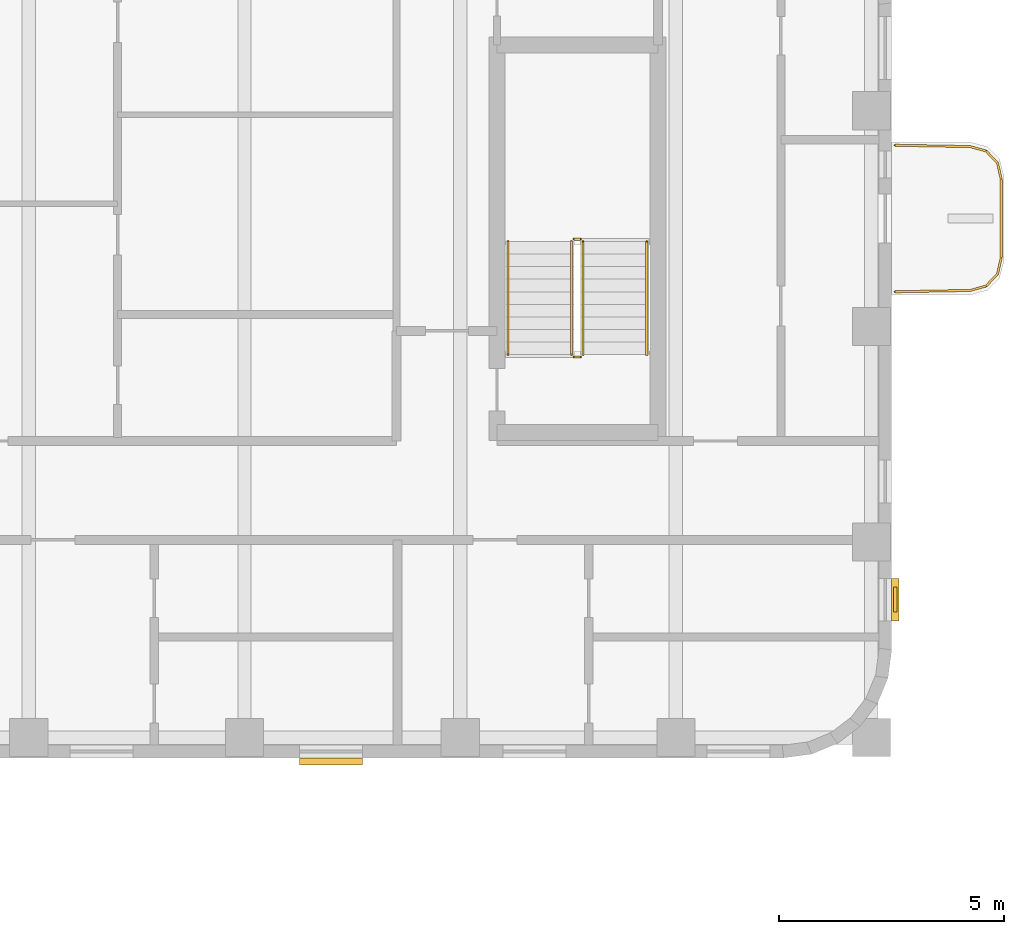
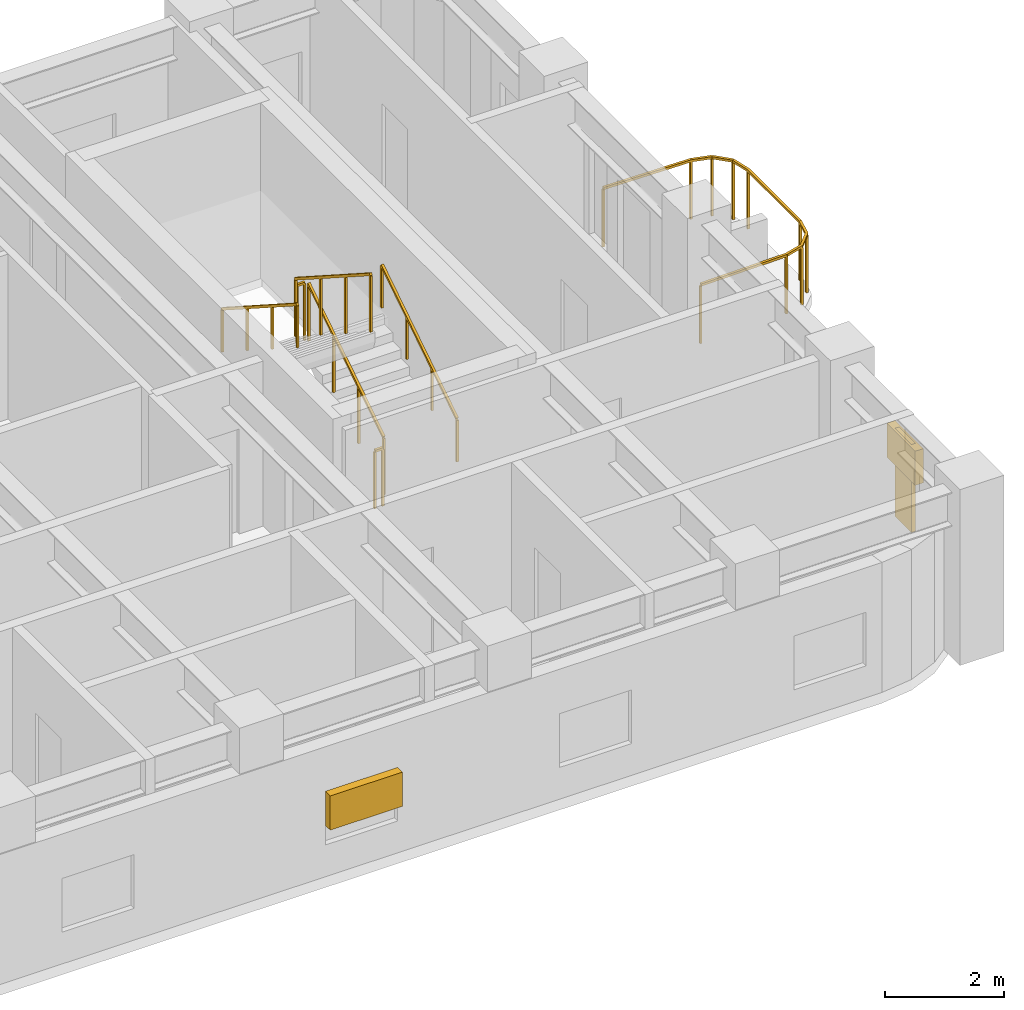
# One storey, part 11 of 12: 7 railings, 3 shading devices.
"""IFC4 building model written with IfcOpenShell, lengths in metres."""

from ifc_helpers import new_model, si_unit, direction, frame, origin, origin_2d, place, context, subcontext, project, spatial, rectangle, extrude, material, type_object, element, save


model = new_model("IFC4")

# Units and contexts
model_context = context("Model", 3, precision=1e-05, world=origin(), true_north=direction((0.0, 1.0)))
body_context = subcontext(model_context, "Body", "Model", "MODEL_VIEW")
ifc_project = project(units=[si_unit("LENGTHUNIT", "METRE"), si_unit("AREAUNIT", "SQUARE_METRE"), si_unit("VOLUMEUNIT", "CUBIC_METRE"), si_unit("PLANEANGLEUNIT", "RADIAN"), si_unit("MASSUNIT", "GRAM", prefix="KILO")], contexts=[model_context])

# Site, building, storey
site_placement = place(None, origin())
site = spatial("IfcSite", under=ifc_project, at=site_placement, CompositionType="ELEMENT")
building_placement = place(site_placement, origin())
building = spatial("IfcBuilding", under=site, at=building_placement, Name="Orvandelia Arch Residences", CompositionType="ELEMENT")
storey_placement = place(building_placement, frame((0.0, 0.0, 214.60009765625)))
storey = spatial("IfcBuildingStorey", under=building, at=storey_placement, Name="L56", CompositionType="ELEMENT", Elevation=214.60009765625)

# Railings
ifc_material_1 = material(Name="Marine-Grade Stainless Steel 316", Category="steel")
railing_type_1 = type_object("IfcRailingType", Name="GRD-BAL-1200", PredefinedType="BALUSTRADE", material=ifc_material_1)
railing_1_placement = place(storey_placement, frame((52.871826171875, 39.169677734375, 0.0)))
element("IfcRailing", 1, at=railing_1_placement, inside=storey, type_object=railing_type_1, Name="Safety Balustrade Guard GRD-L56-BAL-L56-E1-1", PredefinedType="BALUSTRADE", context=body_context, shape_type="SweptSolid", body=[
    extrude(rectangle(XDim=0.048095703125, YDim=0.048095703125, at=origin_2d()), frame((0.0, 0.0, 1.19580078125), z_axis=(0.999837384468, 0.018033430643, 0.0), x_axis=(-0.018033430643, 0.999837384468, 0.0)), (0.0, 0.0, 1.0), 1.6787109375),
    extrude(rectangle(XDim=0.048095703125, YDim=0.048095703125, at=origin_2d()), frame((1.678466796875, 0.0302734375, 1.19580078125), z_axis=(0.96348920644, 0.267747173792, 0.0), x_axis=(-0.267747173792, 0.96348920644, 0.0)), (0.0, 0.0, 1.0), 0.36572265625),
    extrude(rectangle(XDim=0.048095703125, YDim=0.048095703125, at=origin_2d()), frame((2.03076171875, 0.128173828125, 1.19580078125), z_axis=(0.687947031175, 0.725760898848, 0.0), x_axis=(-0.725760898848, 0.687947031175, 0.0)), (0.0, 0.0, 1.0), 0.367919921875),
    extrude(rectangle(XDim=0.048095703125, YDim=0.048095703125, at=origin_2d()), frame((2.283935546875, 0.395263671875, 1.19580078125), z_axis=(0.221225034864, 0.975222786828, 0.0), x_axis=(-0.975222786828, 0.221225034864, 0.0)), (0.0, 0.0, 1.0), 0.373046875),
    extrude(rectangle(XDim=0.048095703125, YDim=0.048095703125, at=origin_2d()), frame((2.366455078125, 0.759033203125, 1.19580078125), z_axis=(0.0, 1.0, 0.0), x_axis=(-1.0, 0.0, 0.0)), (0.0, 0.0, 1.0), 1.74267578125),
    extrude(rectangle(XDim=0.048095703125, YDim=0.048095703125, at=origin_2d()), frame((2.366455078125, 2.501708984375, 1.19580078125), z_axis=(-0.221225034864, 0.975222786828, 0.0), x_axis=(-0.975222786828, -0.221225034864, 0.0)), (0.0, 0.0, 1.0), 0.373046875),
    extrude(rectangle(XDim=0.048095703125, YDim=0.048095703125, at=origin_2d()), frame((2.283935546875, 2.865478515625, 1.19580078125), z_axis=(-0.688278345278, 0.725446703364, 0.0), x_axis=(-0.725446703364, -0.688278345278, 0.0)), (0.0, 0.0, 1.0), 0.367919921875),
    extrude(rectangle(XDim=0.048095703125, YDim=0.048095703125, at=origin_2d()), frame((2.03076171875, 3.13232421875, 1.19580078125), z_axis=(-0.96348920644, 0.267747173792, 0.0), x_axis=(-0.267747173792, -0.96348920644, 0.0)), (0.0, 0.0, 1.0), 0.36572265625),
    extrude(rectangle(XDim=0.048095703125, YDim=0.048095703125, at=origin_2d()), frame((1.678466796875, 3.230224609375, 1.19580078125), z_axis=(-0.999834751713, 0.018178813668, 0.0), x_axis=(-0.018178813668, -0.999834751713, 0.0)), (0.0, 0.0, 1.0), 1.6787109375),
    extrude(rectangle(XDim=0.0419921875, YDim=0.0419921875, at=origin_2d()), origin(), (0.0, 0.0, 1.0), 1.171875),
    extrude(rectangle(XDim=0.0419921875, YDim=0.0419921875, at=origin_2d()), frame((1.678466796875, 0.0302734375, 0.0)), (0.0, 0.0, 1.0), 1.171875),
    extrude(rectangle(XDim=0.0419921875, YDim=0.0419921875, at=origin_2d()), frame((2.03076171875, 0.128173828125, 0.0)), (0.0, 0.0, 1.0), 1.171875),
    extrude(rectangle(XDim=0.0419921875, YDim=0.0419921875, at=origin_2d()), frame((2.283935546875, 0.395263671875, 0.0)), (0.0, 0.0, 1.0), 1.171875),
    extrude(rectangle(XDim=0.0419921875, YDim=0.0419921875, at=origin_2d()), frame((2.366455078125, 0.759033203125, 0.0)), (0.0, 0.0, 1.0), 1.171875),
    extrude(rectangle(XDim=0.0419921875, YDim=0.0419921875, at=origin_2d()), frame((2.366455078125, 2.501708984375, 0.0)), (0.0, 0.0, 1.0), 1.171875),
    extrude(rectangle(XDim=0.0419921875, YDim=0.0419921875, at=origin_2d()), frame((2.283935546875, 2.865478515625, 0.0)), (0.0, 0.0, 1.0), 1.171875),
    extrude(rectangle(XDim=0.0419921875, YDim=0.0419921875, at=origin_2d()), frame((2.03076171875, 3.13232421875, 0.0)), (0.0, 0.0, 1.0), 1.171875),
    extrude(rectangle(XDim=0.0419921875, YDim=0.0419921875, at=origin_2d()), frame((1.678466796875, 3.230224609375, 0.0)), (0.0, 0.0, 1.0), 1.171875),
    extrude(rectangle(XDim=0.0419921875, YDim=0.0419921875, at=origin_2d()), frame((0.0, 3.2607421875, 0.0)), (0.0, 0.0, 1.0), 1.171875),
])
ifc_material_2 = material(Name="Brushed Stainless Steel 304", Category="steel")
railing_type_2 = type_object("IfcRailingType", Name="RL-STAIR-GD1120", PredefinedType="GUARDRAIL", material=ifc_material_2)
railing_2_placement = place(storey_placement, frame((45.929931640625, 37.77001953125, 0.179931640625)))
element("IfcRailing", 2, at=railing_2_placement, inside=storey, type_object=railing_type_2, Name="L56 ST-3 stair guard 1", PredefinedType="GUARDRAIL", context=body_context, shape_type="SweptSolid", body=[
    extrude(rectangle(XDim=0.048095703125, YDim=0.048095703125, at=origin_2d()), frame((0.0, 0.0, 1.17578125), z_axis=(0.0, 0.841199657755, 0.540724639528), x_axis=(-1.0, 0.0, 0.0)), (0.0, 0.0, 1.0), 2.995849609375),
    extrude(rectangle(XDim=0.0419921875, YDim=0.0419921875, at=origin_2d()), origin(), (0.0, 0.0, 1.0), 1.15185546875),
    extrude(rectangle(XDim=0.0419921875, YDim=0.0419921875, at=origin_2d()), frame((0.0, 0.840087890625, 0.5400390625)), (0.0, 0.0, 1.0), 1.15185546875),
    extrude(rectangle(XDim=0.0419921875, YDim=0.0419921875, at=origin_2d()), frame((0.0, 1.679931640625, 1.079833984375)), (0.0, 0.0, 1.0), 1.15185546875),
    extrude(rectangle(XDim=0.0419921875, YDim=0.0419921875, at=origin_2d()), frame((0.0, 2.52001953125, 1.619873046875)), (0.0, 0.0, 1.0), 1.15185546875),
])
railing_3_placement = place(storey_placement, frame((45.8798828125, 40.340087890625, 1.7998046875)))
element("IfcRailing", 3, at=railing_3_placement, inside=storey, type_object=railing_type_2, Name="L56 ST-3 stair guard 2", PredefinedType="GUARDRAIL", context=body_context, shape_type="SweptSolid", body=[
    extrude(rectangle(XDim=0.048095703125, YDim=0.048095703125, at=origin_2d()), frame((0.0, 0.0, 1.17578125), z_axis=(-1.0, 0.0, 0.0), x_axis=(0.0, -1.0, 0.0)), (0.0, 0.0, 1.0), 0.14990234375),
    extrude(rectangle(XDim=0.0419921875, YDim=0.0419921875, at=origin_2d()), origin(), (0.0, 0.0, 1.0), 1.15185546875),
    extrude(rectangle(XDim=0.0419921875, YDim=0.0419921875, at=origin_2d()), frame((-0.14990234375, 0.0, 0.0)), (0.0, 0.0, 1.0), 1.15185546875),
])
railing_4_placement = place(storey_placement, frame((45.679931640625, 40.2900390625, 1.97998046875)))
element("IfcRailing", 4, at=railing_4_placement, inside=storey, type_object=railing_type_2, Name="L56 ST-3 stair guard 3", PredefinedType="GUARDRAIL", context=body_context, shape_type="SweptSolid", body=[
    extrude(rectangle(XDim=0.048095703125, YDim=0.048095703125, at=origin_2d()), frame((0.0, 0.0, 1.17578125), z_axis=(0.0, -0.841199657755, 0.540724639528), x_axis=(1.0, 0.0, 0.0)), (0.0, 0.0, 1.0), 2.995849609375),
    extrude(rectangle(XDim=0.0419921875, YDim=0.0419921875, at=origin_2d()), origin(), (0.0, 0.0, 1.0), 1.15185546875),
    extrude(rectangle(XDim=0.0419921875, YDim=0.0419921875, at=origin_2d()), frame((0.0, -0.840087890625, 0.5400390625)), (0.0, 0.0, 1.0), 1.15185546875),
    extrude(rectangle(XDim=0.0419921875, YDim=0.0419921875, at=origin_2d()), frame((0.0, -1.679931640625, 1.079833984375)), (0.0, 0.0, 1.0), 1.15185546875),
    extrude(rectangle(XDim=0.0419921875, YDim=0.0419921875, at=origin_2d()), frame((0.0, -2.52001953125, 1.619873046875)), (0.0, 0.0, 1.0), 1.15185546875),
])
railing_5_placement = place(storey_placement, frame((45.8798828125, 37.719970703125, 0.0)))
element("IfcRailing", 5, at=railing_5_placement, inside=storey, type_object=railing_type_2, Name="L56 ST-3 stair guard 4", PredefinedType="GUARDRAIL", context=body_context, shape_type="SweptSolid", body=[
    extrude(rectangle(XDim=0.048095703125, YDim=0.048095703125, at=origin_2d()), frame((0.0, 0.0, 1.17578125), z_axis=(-1.0, 0.0, 0.0), x_axis=(0.0, -1.0, 0.0)), (0.0, 0.0, 1.0), 0.14990234375),
    extrude(rectangle(XDim=0.0419921875, YDim=0.0419921875, at=origin_2d()), origin(), (0.0, 0.0, 1.0), 1.15185546875),
    extrude(rectangle(XDim=0.0419921875, YDim=0.0419921875, at=origin_2d()), frame((-0.14990234375, 0.0, 0.0)), (0.0, 0.0, 1.0), 1.15185546875),
])
railing_type_3 = type_object("IfcRailingType", Name="RL-STAIR-HR920", PredefinedType="HANDRAIL", material=ifc_material_2)
railing_6_placement = place(storey_placement, frame((47.35009765625, 37.77001953125, 0.35986328125)))
element("IfcRailing", 6, at=railing_6_placement, inside=storey, type_object=railing_type_3, Name="L56 ST-3 stair handrail 1", PredefinedType="HANDRAIL", context=body_context, shape_type="SweptSolid", body=[
    extrude(rectangle(XDim=0.048095703125, YDim=0.048095703125, at=origin_2d()), frame((0.0, 0.0, 0.8759765625), z_axis=(0.0, 0.841162588446, 0.540782303519), x_axis=(-1.0, 0.0, 0.0)), (0.0, 0.0, 1.0), 2.995849609375),
    extrude(rectangle(XDim=0.0419921875, YDim=0.0419921875, at=origin_2d()), origin(), (0.0, 0.0, 1.0), 0.851806640625),
    extrude(rectangle(XDim=0.0419921875, YDim=0.0419921875, at=origin_2d()), frame((0.0, 0.840087890625, 0.5400390625)), (0.0, 0.0, 1.0), 0.851806640625),
    extrude(rectangle(XDim=0.0419921875, YDim=0.0419921875, at=origin_2d()), frame((0.0, 1.679931640625, 1.080078125)), (0.0, 0.0, 1.0), 0.851806640625),
    extrude(rectangle(XDim=0.0419921875, YDim=0.0419921875, at=origin_2d()), frame((0.0, 2.52001953125, 1.6201171875)), (0.0, 0.0, 1.0), 0.851806640625),
])
railing_7_placement = place(storey_placement, frame((44.260009765625, 40.2900390625, 2.159912109375)))
element("IfcRailing", 7, at=railing_7_placement, inside=storey, type_object=railing_type_3, Name="L56 ST-3 stair handrail 2", PredefinedType="HANDRAIL", context=body_context, shape_type="SweptSolid", body=[
    extrude(rectangle(XDim=0.048095703125, YDim=0.048095703125, at=origin_2d()), frame((0.0, 0.0, 0.8759765625), z_axis=(0.0, -0.841199657755, 0.540724639528), x_axis=(1.0, 0.0, 0.0)), (0.0, 0.0, 1.0), 2.995849609375),
    extrude(rectangle(XDim=0.0419921875, YDim=0.0419921875, at=origin_2d()), origin(), (0.0, 0.0, 1.0), 0.851806640625),
    extrude(rectangle(XDim=0.0419921875, YDim=0.0419921875, at=origin_2d()), frame((0.0, -0.840087890625, 0.5400390625)), (0.0, 0.0, 1.0), 0.851806640625),
    extrude(rectangle(XDim=0.0419921875, YDim=0.0419921875, at=origin_2d()), frame((0.0, -1.679931640625, 1.079833984375)), (0.0, 0.0, 1.0), 0.851806640625),
    extrude(rectangle(XDim=0.0419921875, YDim=0.0419921875, at=origin_2d()), frame((0.0, -2.52001953125, 1.619873046875)), (0.0, 0.0, 1.0), 0.851806640625),
])

# Shading devices
ifc_material_3 = material(Name="Anodised Champagne-Bronze Extruded Aluminium", Category="aluminium")
shading_device_type_1 = type_object("IfcShadingDeviceType", Name="SHD-JALOUSIE-SCREEN", PredefinedType="JALOUSIE", material=ifc_material_3)
shading_device_1_placement = place(storey_placement, frame((52.8798828125, 32.320068359375, 1.5498046875), z_axis=(0.0, 0.0, 1.0), x_axis=(0.0, -1.0, 0.0)))
element("IfcShadingDevice", 8, at=shading_device_1_placement, inside=storey, type_object=shading_device_type_1, Name="Bronze Jalousie Sun-Shade L56-003", PredefinedType="JALOUSIE", context=body_context, shape_type="SweptSolid", body=[
    extrude(rectangle(XDim=0.949951171875, YDim=0.159912109375, at=origin_2d()), origin(), (0.0, 0.0, 1.0), 0.699951171875),
])
shading_device_2_placement = place(storey_placement, frame((40.322509765625, 28.719970703125, 1.0498046875), z_axis=(0.0, 0.0, 1.0), x_axis=(-1.0, 0.0, 0.0)))
element("IfcShadingDevice", 9, at=shading_device_2_placement, inside=storey, type_object=shading_device_type_1, Name="Bronze Jalousie Sun-Shade L56-005", PredefinedType="JALOUSIE", context=body_context, shape_type="SweptSolid", body=[
    extrude(rectangle(XDim=1.39990234375, YDim=0.159912109375, at=origin_2d()), origin(), (0.0, 0.0, 1.0), 0.699951171875),
])
ifc_material_4 = material(Name="Marine-Grade Perforated Aluminium Storm Shutter", Category="aluminium")
shading_device_type_2 = type_object("IfcShadingDeviceType", Name="SHD-STORM-SHUTTER", PredefinedType="SHUTTER", material=ifc_material_4)
shading_device_3_placement = place(storey_placement, frame((52.8798828125, 32.320068359375, 0.44970703125), z_axis=(0.0, 0.0, 1.0), x_axis=(0.0, -1.0, 0.0)))
element("IfcShadingDevice", 10, at=shading_device_3_placement, inside=storey, type_object=shading_device_type_2, Name="Operable Typhoon Storm Shutter L56-003", PredefinedType="SHUTTER", context=body_context, shape_type="SweptSolid", body=[
    extrude(rectangle(XDim=0.550048828125, YDim=0.080078125, at=origin_2d()), origin(), (0.0, 0.0, 1.0), 1.800048828125),
])

save(model, "model.ifc")
